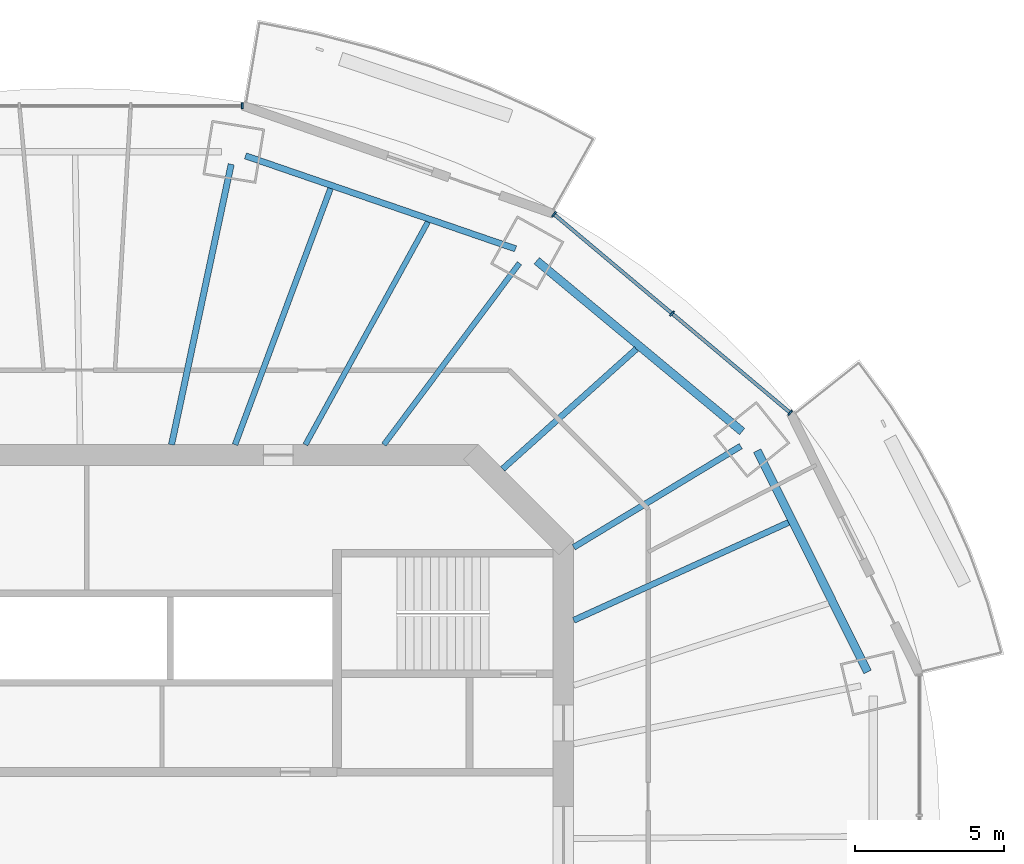
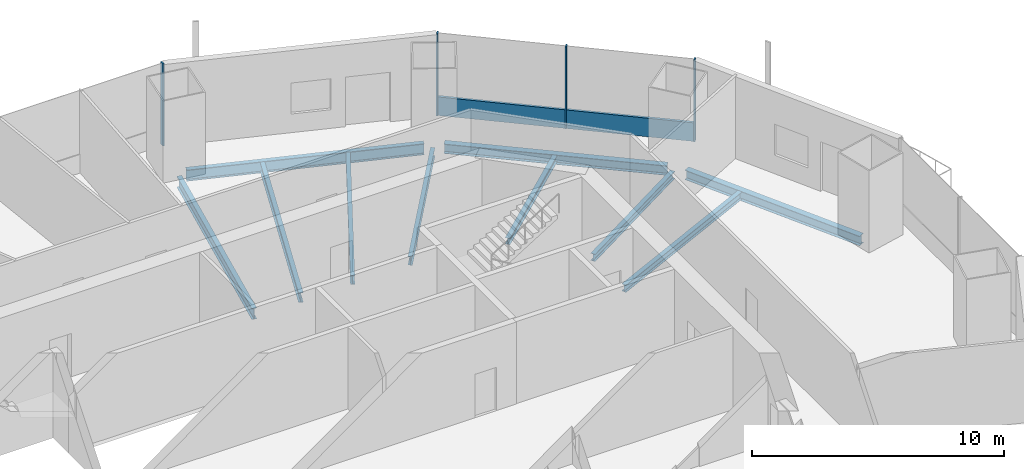
# One storey, part 6 of 16: 10 beams, 5 members, 2 elements without a shape of their own.
"""IFC4 building model written with IfcOpenShell, lengths in metres."""

from ifc_helpers import new_model, si_unit, direction, frame, origin, origin_2d, place, context, subcontext, project, spatial, rectangle, i_section, extrude, material, material_profile, profile_set, type_object, element, aggregate, save


model = new_model("IFC4")

# Units and contexts
model_context = context("Model", 3, precision=1e-05, world=origin(), true_north=direction((0.0, 1.0)))
body_context = subcontext(model_context, "Body", "Model", "MODEL_VIEW")
ifc_project = project(units=[si_unit("LENGTHUNIT", "METRE"), si_unit("AREAUNIT", "SQUARE_METRE"), si_unit("VOLUMEUNIT", "CUBIC_METRE"), si_unit("PLANEANGLEUNIT", "RADIAN"), si_unit("MASSUNIT", "GRAM", prefix="KILO")], contexts=[model_context])

# Site, building, storey
site_placement = place(None, origin())
site = spatial("IfcSite", under=ifc_project, at=site_placement, CompositionType="ELEMENT")
building_placement = place(site_placement, origin())
building = spatial("IfcBuilding", under=site, at=building_placement, Name="Marenthal Gate Tower", CompositionType="ELEMENT")
storey_placement = place(building_placement, frame((0.0, 0.0, 284.5)))
storey = spatial("IfcBuildingStorey", under=building, at=storey_placement, Name="L63", CompositionType="ELEMENT", Elevation=284.5)

# Curtain wall, members
ifc_material_1 = material(Name="Aluminium and glass", Category="aluminium")
curtain_wall_type = type_object("IfcCurtainWallType", Name="Curtain wall typical high", PredefinedType="NOTDEFINED", material=ifc_material_1)
curtain_wall_1_placement = place(storey_placement, origin())
curtain_wall_1 = element("IfcCurtainWall", 1, at=curtain_wall_1_placement, inside=storey, type_object=curtain_wall_type, Name="Curtain wall L63 bay 2", PredefinedType="NOTDEFINED")
ifc_material_2 = material(Name="Aluminium", Category="aluminium")
ifc_material_profile_1 = material_profile(ifc_material_2, rectangle(XDim=0.199951171875, YDim=0.06005859375, at=origin_2d()), Name="60x200 aluminium mullion")
ifc_profile_set_1 = profile_set([ifc_material_profile_1], Name="Aluminium")
member_type_1 = type_object("IfcMemberType", Name="Mullion 60x200 typical high", PredefinedType="MULLION", material=ifc_profile_set_1)
member_1_placement = place(storey_placement, frame((23.621337890625, 14.42138671875, 0.0), z_axis=(0.0, 0.0, 1.0), x_axis=(-0.643380191367, -0.76554681722, 0.0)))
member_1 = element("IfcMember", 2, at=member_1_placement, type_object=member_type_1, Name="Mullion L63 bay 2.1", PredefinedType="MULLION", context=body_context, shape_type="SweptSolid", body=[
    extrude(rectangle(XDim=0.199951171875, YDim=0.06005859375, at=origin_2d()), origin(), (0.0, 0.0, 1.0), 3.969970703125),
])
member_2_placement = place(storey_placement, frame((19.6552734375, 17.754638671875, 0.0), z_axis=(0.0, 0.0, 1.0), x_axis=(-0.643380191367, -0.76554681722, 0.0)))
member_2 = element("IfcMember", 3, at=member_2_placement, type_object=member_type_1, Name="Mullion L63 bay 2.2", PredefinedType="MULLION", context=body_context, shape_type="SweptSolid", body=[
    extrude(rectangle(XDim=0.199951171875, YDim=0.06005859375, at=origin_2d()), origin(), (0.0, 0.0, 1.0), 3.969970703125),
])
member_3_placement = place(storey_placement, frame((15.68896484375, 21.087890625, 0.0), z_axis=(0.0, 0.0, 1.0), x_axis=(-0.643380191367, -0.76554681722, 0.0)))
member_3 = element("IfcMember", 4, at=member_3_placement, type_object=member_type_1, Name="Mullion L63 bay 2.3", PredefinedType="MULLION", context=body_context, shape_type="SweptSolid", body=[
    extrude(rectangle(XDim=0.199951171875, YDim=0.06005859375, at=origin_2d()), origin(), (0.0, 0.0, 1.0), 3.969970703125),
])

# Curtain wall, member
curtain_wall_2_placement = place(storey_placement, origin())
curtain_wall_2 = element("IfcCurtainWall", 5, at=curtain_wall_2_placement, inside=storey, type_object=curtain_wall_type, Name="Curtain wall L63 bay 4", PredefinedType="NOTDEFINED")
member_4_placement = place(storey_placement, frame((5.211669921875, 24.736083984375, 0.0), z_axis=(0.0, 0.0, 1.0), x_axis=(0.0, -1.0, 0.0)))
member_4 = element("IfcMember", 6, at=member_4_placement, type_object=member_type_1, Name="Mullion L63 bay 4.1", PredefinedType="MULLION", context=body_context, shape_type="SweptSolid", body=[
    extrude(rectangle(XDim=0.199951171875, YDim=0.06005859375, at=origin_2d()), origin(), (0.0, 0.0, 1.0), 3.969970703125),
])
aggregate(curtain_wall_2, [member_4])

# Member
ifc_material_3 = material(Name="Aluminium", Category="aluminium")
ifc_material_profile_2 = material_profile(ifc_material_3, rectangle(XDim=0.1201171875, YDim=0.89990234375, at=origin_2d()), Name="120x900 aluminium transom")
ifc_profile_set_2 = profile_set([ifc_material_profile_2], Name="Aluminium")
member_type_2 = type_object("IfcMemberType", Name="Transom 120x900 typical high", PredefinedType="USERDEFINED", material=ifc_profile_set_2)
member_5_placement = place(storey_placement, frame((23.598388671875, 14.440673828125, 0.449951171875), z_axis=(-0.765547508353, 0.643379368999, 0.0), x_axis=(-0.643379368999, -0.765547508353, 0.0)))
member_5 = element("IfcMember", 7, at=member_5_placement, type_object=member_type_2, Name="Transom L63 bay 2", ObjectType="TRANSOM", PredefinedType="USERDEFINED", context=body_context, shape_type="SweptSolid", body=[
    extrude(rectangle(XDim=0.1201171875, YDim=0.89990234375, at=origin_2d()), origin(), (0.0, 0.0, 1.0), 10.3017578125),
])

aggregate(curtain_wall_1, [member_1, member_2, member_3, member_5])

# Beams
ifc_material_4 = material(Name="Steel S355", Category="steel")
ifc_material_profile_3 = material_profile(ifc_material_4, i_section(OverallWidth=0.205078125, OverallDepth=0.31005859375, WebThickness=0.009521484375, FlangeThickness=0.016357421875, FilletRadius=0.0126953125, at=origin_2d()), Name="W310X74")
ifc_profile_set_3 = profile_set([ifc_material_profile_3], Name="Steel S355")
beam_type_1 = type_object("IfcBeamType", Name="W310X74 beam", PredefinedType="BEAM", material=ifc_profile_set_3)
beam_1_placement = place(storey_placement, frame((18.45458984375, 16.564697265625, -0.3349609375), z_axis=(-0.744198463605, -0.667958566655, 0.0), x_axis=(0.667958566655, -0.744198463605, 0.0)))
element("IfcBeam", 8, at=beam_1_placement, inside=storey, type_object=beam_type_1, Name="BM-L63-19", PredefinedType="BEAM", context=body_context, shape_type="SweptSolid", body=[
    extrude(i_section(OverallWidth=0.205078125, OverallDepth=0.31005859375, WebThickness=0.009521484375, FlangeThickness=0.016357421875, FilletRadius=0.0126953125, at=origin_2d()), origin(), (0.0, 0.0, 1.0), 6.036376953125),
])
ifc_material_5 = material(Name="Steel S355", Category="steel")
ifc_material_profile_4 = material_profile(ifc_material_5, i_section(OverallWidth=0.205078125, OverallDepth=0.35302734375, WebThickness=0.009521484375, FlangeThickness=0.016845703125, FilletRadius=0.014892578125, at=origin_2d()), Name="W360X79")
ifc_profile_set_4 = profile_set([ifc_material_profile_4], Name="Steel S355")
beam_type_2 = type_object("IfcBeamType", Name="W360X79 beam", PredefinedType="BEAM", material=ifc_profile_set_4)
beam_2_placement = place(storey_placement, frame((21.960205078125, 13.2998046875, -0.3564453125), z_axis=(-0.855357284352, -0.518038527627, 0.0), x_axis=(0.518038527627, -0.855357284352, 0.0)))
element("IfcBeam", 9, at=beam_2_placement, inside=storey, type_object=beam_type_2, Name="BM-L63-02", PredefinedType="BEAM", context=body_context, shape_type="SweptSolid", body=[
    extrude(i_section(OverallWidth=0.205078125, OverallDepth=0.35302734375, WebThickness=0.009521484375, FlangeThickness=0.016845703125, FilletRadius=0.014892578125, at=origin_2d()), origin(), (0.0, 0.0, 1.0), 6.558837890625),
])
beam_3_placement = place(storey_placement, frame((23.564453125, 10.73583984375, -0.3564453125), z_axis=(-0.910016007484, -0.414573113122, 0.0), x_axis=(0.414573113122, -0.910016007484, 0.0)))
element("IfcBeam", 10, at=beam_3_placement, inside=storey, type_object=beam_type_2, Name="BM-L63-18", PredefinedType="BEAM", context=body_context, shape_type="SweptSolid", body=[
    extrude(i_section(OverallWidth=0.205078125, OverallDepth=0.35302734375, WebThickness=0.009521484375, FlangeThickness=0.016845703125, FilletRadius=0.014892578125, at=origin_2d()), origin(), (0.0, 0.0, 1.0), 7.927734375),
])
ifc_material_6 = material(Name="Steel S355", Category="steel")
ifc_material_profile_5 = material_profile(ifc_material_6, i_section(OverallWidth=0.180908203125, OverallDepth=0.4169921875, WebThickness=0.010986328125, FlangeThickness=0.018310546875, FilletRadius=0.01025390625, at=origin_2d()), Name="W410X85")
ifc_profile_set_5 = profile_set([ifc_material_profile_5], Name="Steel S355")
beam_type_3 = type_object("IfcBeamType", Name="W410X85 beam", PredefinedType="BEAM", material=ifc_profile_set_5)
beam_4_placement = place(storey_placement, frame((14.52880859375, 19.4462890625, -0.388427734375), z_axis=(-0.598530895053, -0.801099723921, 0.0), x_axis=(0.801099723921, -0.598530895053, 0.0)))
element("IfcBeam", 11, at=beam_4_placement, inside=storey, type_object=beam_type_3, Name="BM-L63-03", PredefinedType="BEAM", context=body_context, shape_type="SweptSolid", body=[
    extrude(i_section(OverallWidth=0.180908203125, OverallDepth=0.4169921875, WebThickness=0.010986328125, FlangeThickness=0.018310546875, FilletRadius=0.01025390625, at=origin_2d()), origin(), (0.0, 0.0, 1.0), 7.60986328125),
])
beam_5_placement = place(storey_placement, frame((11.451416015625, 20.830078125, -0.388427734375), z_axis=(-0.481767224864, -0.876299230313, 0.0), x_axis=(0.876299230313, -0.481767224864, 0.0)))
element("IfcBeam", 12, at=beam_5_placement, inside=storey, type_object=beam_type_3, Name="BM-L63-20", PredefinedType="BEAM", context=body_context, shape_type="SweptSolid", body=[
    extrude(i_section(OverallWidth=0.180908203125, OverallDepth=0.4169921875, WebThickness=0.010986328125, FlangeThickness=0.018310546875, FilletRadius=0.01025390625, at=origin_2d()), origin(), (0.0, 0.0, 1.0), 8.535888671875),
])
ifc_material_7 = material(Name="Steel S355", Category="steel")
ifc_material_profile_6 = material_profile(ifc_material_7, i_section(OverallWidth=0.279052734375, OverallDepth=0.4619140625, WebThickness=0.0107421875, FlangeThickness=0.017333984375, FilletRadius=0.010009765625, at=origin_2d()), Name="W460X113")
ifc_profile_set_6 = profile_set([ifc_material_profile_6], Name="Steel S355")
beam_type_4 = type_object("IfcBeamType", Name="W460X113 beam", PredefinedType="BEAM", material=ifc_profile_set_6)
beam_6_placement = place(storey_placement, frame((26.2236328125, 5.71240234375, -0.410888671875), z_axis=(-0.446025836929, 0.895020085133, 0.0), x_axis=(-0.895020085133, -0.446025836929, 0.0)))
element("IfcBeam", 13, at=beam_6_placement, inside=storey, type_object=beam_type_4, Name="BM-L63-41", PredefinedType="BEAM", context=body_context, shape_type="SweptSolid", body=[
    extrude(i_section(OverallWidth=0.279052734375, OverallDepth=0.4619140625, WebThickness=0.0107421875, FlangeThickness=0.017333984375, FilletRadius=0.010009765625, at=origin_2d()), origin(), (0.0, 0.0, 1.0), 8.306884765625),
])
beam_7_placement = place(storey_placement, frame((22.009033203125, 13.79150390625, -0.410888671875), z_axis=(-0.769034611426, 0.639207138906, 0.0), x_axis=(-0.639207138906, -0.769034611426, 0.0)))
element("IfcBeam", 14, at=beam_7_placement, inside=storey, type_object=beam_type_4, Name="BM-L63-42", PredefinedType="BEAM", context=body_context, shape_type="SweptSolid", body=[
    extrude(i_section(OverallWidth=0.279052734375, OverallDepth=0.4619140625, WebThickness=0.0107421875, FlangeThickness=0.017333984375, FilletRadius=0.010009765625, at=origin_2d()), origin(), (0.0, 0.0, 1.0), 8.9736328125),
])
ifc_material_8 = material(Name="Steel S355", Category="steel")
ifc_material_profile_7 = material_profile(ifc_material_8, i_section(OverallWidth=0.193115234375, OverallDepth=0.467041015625, WebThickness=0.011474609375, FlangeThickness=0.01904296875, FilletRadius=0.010009765625, at=origin_2d()), Name="W460X97")
ifc_profile_set_7 = profile_set([ifc_material_profile_7], Name="Steel S355")
beam_type_5 = type_object("IfcBeamType", Name="W460X97 beam", PredefinedType="BEAM", material=ifc_profile_set_7)
beam_8_placement = place(storey_placement, frame((8.181396484375, 21.9560546875, -0.41357421875), z_axis=(-0.349170813631, -0.937059092538, 0.0), x_axis=(0.937059092538, -0.349170813631, 0.0)))
element("IfcBeam", 15, at=beam_8_placement, inside=storey, type_object=beam_type_5, Name="BM-L63-21", PredefinedType="BEAM", context=body_context, shape_type="SweptSolid", body=[
    extrude(i_section(OverallWidth=0.193115234375, OverallDepth=0.467041015625, WebThickness=0.011474609375, FlangeThickness=0.01904296875, FilletRadius=0.010009765625, at=origin_2d()), origin(), (0.0, 0.0, 1.0), 9.18408203125),
])
ifc_material_9 = material(Name="Steel S355", Category="steel")
ifc_material_profile_8 = material_profile(ifc_material_9, i_section(OverallWidth=0.2099609375, OverallDepth=0.535888671875, WebThickness=0.010986328125, FlangeThickness=0.017333984375, FilletRadius=0.0126953125, at=origin_2d()), Name="W530X101")
ifc_profile_set_8 = profile_set([ifc_material_profile_8], Name="Steel S355")
beam_type_6 = type_object("IfcBeamType", Name="W530X101 beam", PredefinedType="BEAM", material=ifc_profile_set_8)
beam_9_placement = place(storey_placement, frame((4.8447265625, 22.769775390625, -0.447998046875), z_axis=(-0.208104032343, -0.978106697514, 0.0), x_axis=(0.978106697514, -0.208104032343, 0.0)))
element("IfcBeam", 16, at=beam_9_placement, inside=storey, type_object=beam_type_6, Name="BM-L63-04", PredefinedType="BEAM", context=body_context, shape_type="SweptSolid", body=[
    extrude(i_section(OverallWidth=0.2099609375, OverallDepth=0.535888671875, WebThickness=0.010986328125, FlangeThickness=0.017333984375, FilletRadius=0.0126953125, at=origin_2d()), origin(), (0.0, 0.0, 1.0), 9.630615234375),
])
ifc_material_10 = material(Name="Steel S355", Category="steel")
ifc_material_profile_9 = material_profile(ifc_material_10, i_section(OverallWidth=0.2119140625, OverallDepth=0.5439453125, WebThickness=0.01318359375, FlangeThickness=0.021240234375, FilletRadius=0.0126953125, at=origin_2d()), Name="W530X123")
ifc_profile_set_9 = profile_set([ifc_material_profile_9], Name="Steel S355")
beam_type_7 = type_object("IfcBeamType", Name="W530X123 beam", PredefinedType="BEAM", material=ifc_profile_set_9)
beam_10_placement = place(storey_placement, frame((14.396728515625, 19.92822265625, -0.451904296875), z_axis=(-0.945528342473, 0.325539788013, 0.0), x_axis=(-0.325539788013, -0.945528342473, 0.0)))
element("IfcBeam", 17, at=beam_10_placement, inside=storey, type_object=beam_type_7, Name="BM-L63-43", PredefinedType="BEAM", context=body_context, shape_type="SweptSolid", body=[
    extrude(i_section(OverallWidth=0.2119140625, OverallDepth=0.5439453125, WebThickness=0.01318359375, FlangeThickness=0.021240234375, FilletRadius=0.0126953125, at=origin_2d()), origin(), (0.0, 0.0, 1.0), 9.595703125),
])

save(model, "model.ifc")
